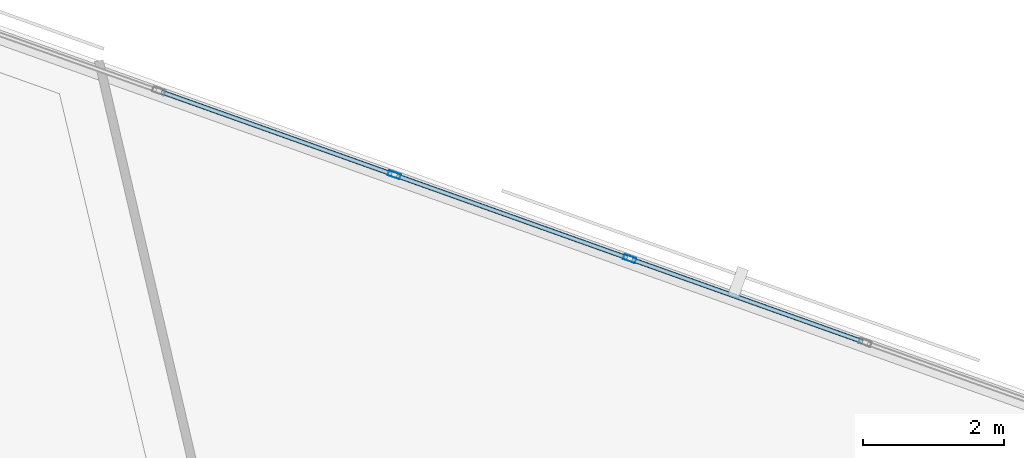
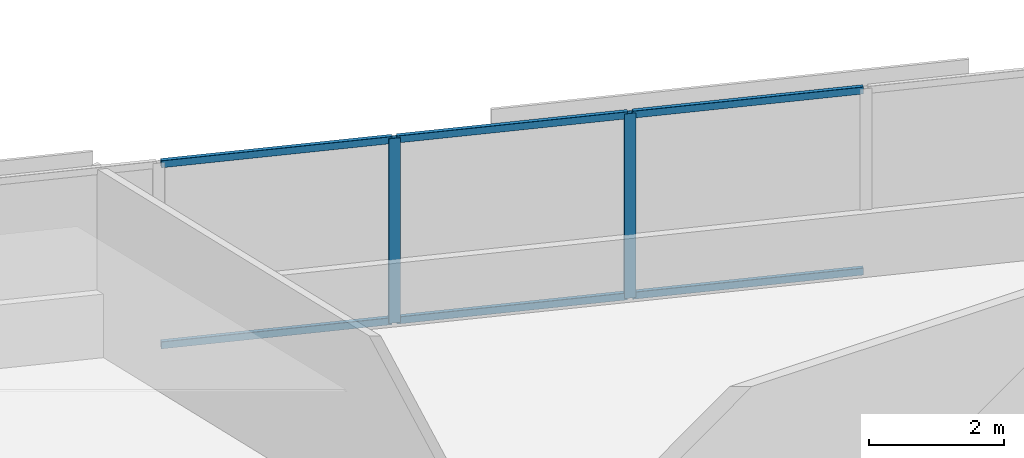
# One storey, part 8 of 15: 8 members, 1 element without a shape of its own.
"""IFC4 building model written with IfcOpenShell, lengths in metres."""

from ifc_helpers import new_model, si_unit, direction, frame, origin, origin_2d, place, context, subcontext, project, spatial, hollow_rectangle, extrude, material, material_profile, profile_set, type_object, element, aggregate, save


model = new_model("IFC4")

# Units and contexts
model_context = context("Model", 3, precision=1e-05, world=origin(), true_north=direction((0.0, 1.0)))
body_context = subcontext(model_context, "Body", "Model", "MODEL_VIEW")
ifc_project = project(units=[si_unit("LENGTHUNIT", "METRE"), si_unit("AREAUNIT", "SQUARE_METRE"), si_unit("VOLUMEUNIT", "CUBIC_METRE"), si_unit("PLANEANGLEUNIT", "RADIAN"), si_unit("MASSUNIT", "GRAM", prefix="KILO")], contexts=[model_context])

# Site, building, storey
site_placement = place(None, origin())
site = spatial("IfcSite", under=ifc_project, at=site_placement, CompositionType="ELEMENT")
building_placement = place(site_placement, origin())
building = spatial("IfcBuilding", under=site, at=building_placement, Name="Narakoshi Arena Tower", CompositionType="ELEMENT")
storey_placement = place(building_placement, frame((0.0, 0.0, 157.5)))
storey = spatial("IfcBuildingStorey", under=building, at=storey_placement, Name="L42", CompositionType="ELEMENT", Elevation=157.5)

# Curtain wall, members
ifc_material = material(Name="Anodised bronze aluminium 6063-T6", Category="aluminium")
curtain_wall_type = type_object("IfcCurtainWallType", Name="CW-HYP-MID", PredefinedType="NOTDEFINED", material=ifc_material)
curtain_wall_placement = place(storey_placement, origin())
curtain_wall = element("IfcCurtainWall", 1, at=curtain_wall_placement, inside=storey, type_object=curtain_wall_type, Name="L42 Folded Hypotenuse Curtain Wall 2-1", PredefinedType="NOTDEFINED")
ifc_material_profile_1 = material_profile(ifc_material, hollow_rectangle(XDim=0.074951171875, YDim=0.179931640625, WallThickness=0.00390625, OuterFilletRadius=0.0048828125, at=origin_2d()), Name="MUL180x75x4")
ifc_profile_set_1 = profile_set([ifc_material_profile_1], Name="Anodised bronze aluminium 6063-T6")
member_type_1 = type_object("IfcMemberType", Name="MEM-MUL-180", PredefinedType="MULLION", material=ifc_profile_set_1)
member_1_placement = place(storey_placement, frame((81.1259765625, 65.1083984375, 0.0), z_axis=(0.0, 0.0, 1.0), x_axis=(-0.335518297139, -0.94203368957, 0.0)))
member_1 = element("IfcMember", 2, at=member_1_placement, type_object=member_type_1, Name="CW-02 mullion 3", PredefinedType="MULLION", context=body_context, shape_type="SweptSolid", body=[
    extrude(hollow_rectangle(XDim=0.074951171875, YDim=0.179931640625, WallThickness=0.00390625, OuterFilletRadius=0.0048828125, at=origin_2d()), origin(), (0.0, 0.0, 1.0), 3.340087890625),
])
member_2_placement = place(storey_placement, frame((77.781494140625, 66.2998046875, 0.0), z_axis=(0.0, 0.0, 1.0), x_axis=(-0.335518297139, -0.94203368957, 0.0)))
member_2 = element("IfcMember", 3, at=member_2_placement, type_object=member_type_1, Name="CW-02 mullion 4", PredefinedType="MULLION", context=body_context, shape_type="SweptSolid", body=[
    extrude(hollow_rectangle(XDim=0.074951171875, YDim=0.179931640625, WallThickness=0.00390625, OuterFilletRadius=0.0048828125, at=origin_2d()), origin(), (0.0, 0.0, 1.0), 3.340087890625),
])
ifc_material_profile_2 = material_profile(ifc_material, hollow_rectangle(XDim=0.06494140625, YDim=0.1298828125, WallThickness=0.00390625, OuterFilletRadius=0.0048828125, at=origin_2d()), Name="TRN130x65x4")
ifc_profile_set_2 = profile_set([ifc_material_profile_2], Name="Anodised bronze aluminium 6063-T6")
member_type_2 = type_object("IfcMemberType", Name="MEM-TRN-130", PredefinedType="USERDEFINED", material=ifc_profile_set_2)
member_3_placement = place(storey_placement, frame((84.435302734375, 63.929931640625, 0.032470703125), z_axis=(-0.942037165195, 0.335508538477, 0.0), x_axis=(-0.335508538477, -0.942037165195, 0.0)))
member_3 = element("IfcMember", 4, at=member_3_placement, type_object=member_type_2, Name="CW-02 transom 2.1", ObjectType="TRANSOM", PredefinedType="USERDEFINED", context=body_context, shape_type="SweptSolid", body=[
    extrude(hollow_rectangle(XDim=0.06494140625, YDim=0.1298828125, WallThickness=0.00390625, OuterFilletRadius=0.0048828125, at=origin_2d()), origin(), (0.0, 0.0, 1.0), 3.475341796875),
])
member_4_placement = place(storey_placement, frame((84.435302734375, 63.929931640625, 3.3076171875), z_axis=(-0.942037165195, 0.335508538477, 0.0), x_axis=(-0.335508538477, -0.942037165195, 0.0)))
member_4 = element("IfcMember", 5, at=member_4_placement, type_object=member_type_2, Name="CW-02 transom 2.2", ObjectType="TRANSOM", PredefinedType="USERDEFINED", context=body_context, shape_type="SweptSolid", body=[
    extrude(hollow_rectangle(XDim=0.06494140625, YDim=0.1298828125, WallThickness=0.00390625, OuterFilletRadius=0.0048828125, at=origin_2d()), origin(), (0.0, 0.0, 1.0), 3.475341796875),
])
member_5_placement = place(storey_placement, frame((81.0908203125, 65.12109375, 0.032470703125), z_axis=(-0.942037165195, 0.335508538477, 0.0), x_axis=(-0.335508538477, -0.942037165195, 0.0)))
member_5 = element("IfcMember", 6, at=member_5_placement, type_object=member_type_2, Name="CW-02 transom 3.1", ObjectType="TRANSOM", PredefinedType="USERDEFINED", context=body_context, shape_type="SweptSolid", body=[
    extrude(hollow_rectangle(XDim=0.06494140625, YDim=0.1298828125, WallThickness=0.00390625, OuterFilletRadius=0.0048828125, at=origin_2d()), origin(), (0.0, 0.0, 1.0), 3.475341796875),
])
member_6_placement = place(storey_placement, frame((81.0908203125, 65.12109375, 3.3076171875), z_axis=(-0.942037165195, 0.335508538477, 0.0), x_axis=(-0.335508538477, -0.942037165195, 0.0)))
member_6 = element("IfcMember", 7, at=member_6_placement, type_object=member_type_2, Name="CW-02 transom 3.2", ObjectType="TRANSOM", PredefinedType="USERDEFINED", context=body_context, shape_type="SweptSolid", body=[
    extrude(hollow_rectangle(XDim=0.06494140625, YDim=0.1298828125, WallThickness=0.00390625, OuterFilletRadius=0.0048828125, at=origin_2d()), origin(), (0.0, 0.0, 1.0), 3.475341796875),
])
member_7_placement = place(storey_placement, frame((77.74609375, 66.312255859375, 0.032470703125), z_axis=(-0.942029256779, 0.335530742813, 0.0), x_axis=(-0.335530742813, -0.942029256779, 0.0)))
member_7 = element("IfcMember", 8, at=member_7_placement, type_object=member_type_2, Name="CW-02 transom 4.1", ObjectType="TRANSOM", PredefinedType="USERDEFINED", context=body_context, shape_type="SweptSolid", body=[
    extrude(hollow_rectangle(XDim=0.06494140625, YDim=0.1298828125, WallThickness=0.00390625, OuterFilletRadius=0.0048828125, at=origin_2d()), origin(), (0.0, 0.0, 1.0), 3.47509765625),
])
member_8_placement = place(storey_placement, frame((77.74609375, 66.312255859375, 3.3076171875), z_axis=(-0.942029256779, 0.335530742813, 0.0), x_axis=(-0.335530742813, -0.942029256779, 0.0)))
member_8 = element("IfcMember", 9, at=member_8_placement, type_object=member_type_2, Name="CW-02 transom 4.2", ObjectType="TRANSOM", PredefinedType="USERDEFINED", context=body_context, shape_type="SweptSolid", body=[
    extrude(hollow_rectangle(XDim=0.06494140625, YDim=0.1298828125, WallThickness=0.00390625, OuterFilletRadius=0.0048828125, at=origin_2d()), origin(), (0.0, 0.0, 1.0), 3.47509765625),
])
aggregate(curtain_wall, [member_1, member_2, member_3, member_4, member_5, member_6, member_7, member_8])

save(model, "model.ifc")
